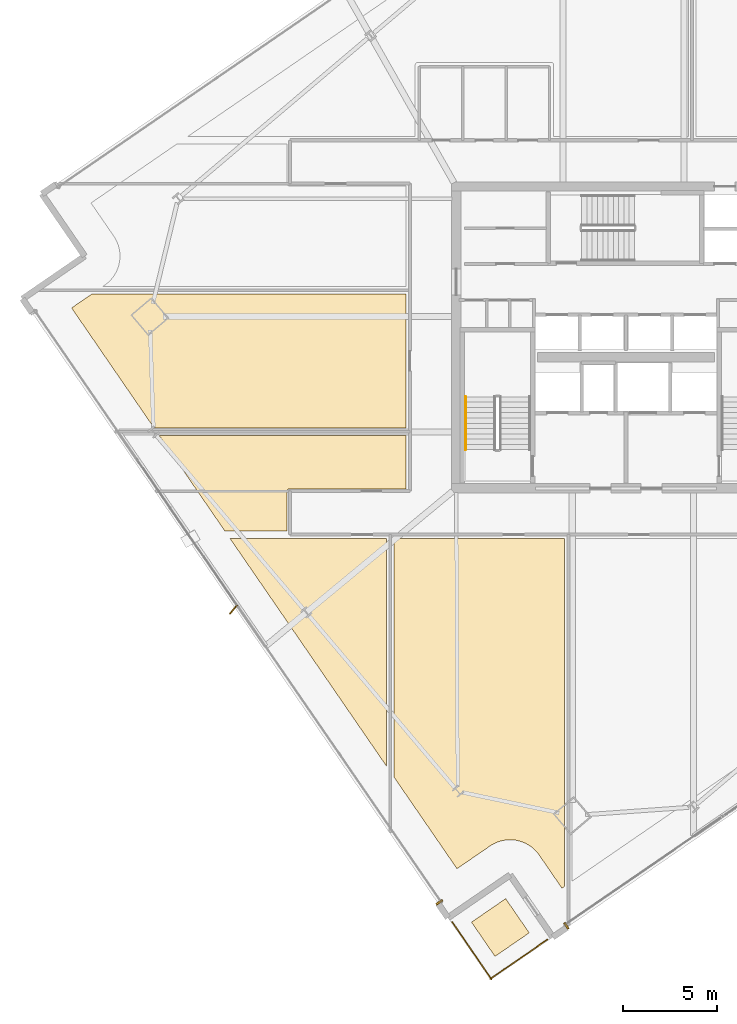
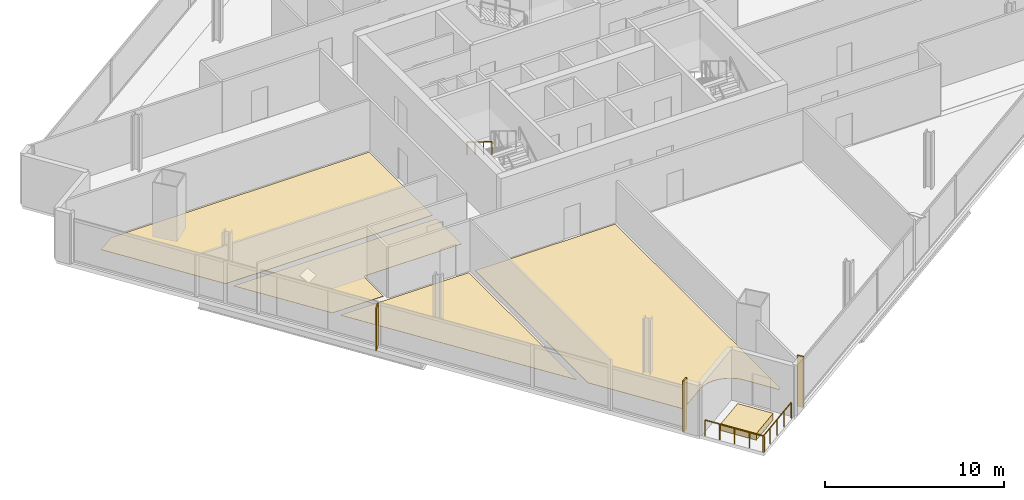
# One storey, part 25 of 29: 7 coverings, 3 railings, 1 shading device.
"""IFC4 building model written with IfcOpenShell, lengths in metres."""

from ifc_helpers import new_model, si_unit, direction, frame, origin, origin_2d, place, context, subcontext, project, spatial, polyline, rectangle, outline, extrude, source, transform, mapped, material, layer, layer_set, type_object, element, save


model = new_model("IFC4")

# Units and contexts
model_context = context("Model", 3, precision=1e-05, world=origin(), true_north=direction((0.0, 1.0)))
body_context = subcontext(model_context, "Body", "Model", "MODEL_VIEW")
ifc_project = project(units=[si_unit("LENGTHUNIT", "METRE"), si_unit("AREAUNIT", "SQUARE_METRE"), si_unit("VOLUMEUNIT", "CUBIC_METRE"), si_unit("PLANEANGLEUNIT", "RADIAN"), si_unit("MASSUNIT", "GRAM", prefix="KILO")], contexts=[model_context])

# Site, building, storey
site_placement = place(None, origin())
site = spatial("IfcSite", under=ifc_project, at=site_placement, CompositionType="ELEMENT")
building_placement = place(site_placement, origin())
building = spatial("IfcBuilding", under=site, at=building_placement, Name="Haldenkirk Collegiate Tower", CompositionType="ELEMENT")
storey_placement = place(building_placement, frame((0.0, 0.0, 144.449951171875)))
storey = spatial("IfcBuildingStorey", under=building, at=storey_placement, Name="L35", CompositionType="ELEMENT", Elevation=144.449951171875)

# Coverings
ifc_material_1 = material(Name="Polished collegiate terrazzo", Category="concrete")
ifc_layer_1 = layer(ifc_material_1, 0.02490234375)
ifc_layer_set_1 = layer_set([ifc_layer_1], Name="Polished collegiate terrazzo")
covering_type_1 = type_object("IfcCoveringType", Name="COV-FLOOR-TERRAZZO", PredefinedType="FLOORING", material=ifc_layer_set_1)
covering_1_placement = place(storey_placement, origin())
element("IfcCovering", 1, at=covering_1_placement, inside=storey, type_object=covering_type_1, Name="L35 academic room finish 02", PredefinedType="FLOORING", context=body_context, shape_type="SweptSolid", body=[
    extrude(outline(polyline([(30.8798828125, -0.92529296875), (30.8701171875, -0.918701171875), (30.721435546875, -0.83251953125), (30.711181640625, -0.8271484375), (30.554931640625, -0.755859375), (30.5439453125, -0.75146484375), (30.381591796875, -0.695556640625), (30.3701171875, -0.6923828125), (30.203125, -0.65283203125), (30.191650390625, -0.650634765625), (30.021484375, -0.627685546875), (30.009521484375, -0.626708984375), (29.837890625, -0.62060546875), (29.826416015625, -0.62060546875), (29.65478515625, -0.63134765625), (29.643310546875, -0.632568359375), (29.4736328125, -0.659912109375), (29.4619140625, -0.66259765625), (29.2958984375, -0.70654296875), (29.284912109375, -0.7099609375), (29.123779296875, -0.77001953125), (29.113037109375, -0.774658203125), (28.958740234375, -0.85009765625), (28.948486328125, -0.855712890625), (28.802490234375, -0.946044921875), (28.79736328125, -0.94921875), (27.0419921875, -2.155517578125), (23.699951171875, 2.70703125), (23.699951171875, 15.35009765625), (32.75, 15.35009765625), (32.75, -3.08642578125), (32.604248046875, -3.1865234375), (31.397705078125, -1.43115234375), (31.394287109375, -1.426513671875), (31.2900390625, -1.289794921875), (31.282470703125, -1.28076171875), (31.16552734375, -1.155029296875), (31.1572265625, -1.14697265625), (31.028564453125, -1.033203125), (31.019287109375, -1.02587890625), (30.8798828125, -0.92529296875)])), origin(), (0.0, 0.0, 1.0), 0.025146484375),
])
covering_2_placement = place(storey_placement, origin())
element("IfcCovering", 2, at=covering_2_placement, inside=storey, type_object=covering_type_1, Name="L35 academic room finish 08", PredefinedType="FLOORING", context=body_context, shape_type="SweptSolid", body=[
    extrude(outline(polyline([(7.69091796875, 28.300048828125), (24.35009765625, 28.300048828125), (24.35009765625, 21.199951171875), (10.990234375, 21.199951171875), (6.617431640625, 27.5625), (7.69091796875, 28.300048828125)])), origin(), (0.0, 0.0, 1.0), 0.025146484375),
])
ifc_material_2 = material(Name="Engineered collegiate oak acoustic flooring", Category="wood")
ifc_layer_2 = layer(ifc_material_2, 0.02197265625)
ifc_layer_set_2 = layer_set([ifc_layer_2], Name="Engineered collegiate oak acoustic flooring")
covering_type_2 = type_object("IfcCoveringType", Name="COV-FLOOR-TIMBER", PredefinedType="FLOORING", material=ifc_layer_set_2)
covering_3_placement = place(storey_placement, origin())
element("IfcCovering", 3, at=covering_3_placement, inside=storey, type_object=covering_type_2, Name="L35 academic room finish 01", PredefinedType="FLOORING", context=body_context, shape_type="SweptSolid", body=[
    extrude(outline(polyline([(15.0107421875, 15.35009765625), (23.300048828125, 15.35009765625), (23.300048828125, 3.2890625), (15.0107421875, 15.35009765625)])), origin(), (0.0, 0.0, 1.0), 0.02197265625),
])
covering_4_placement = place(storey_placement, origin())
element("IfcCovering", 4, at=covering_4_placement, inside=storey, type_object=covering_type_2, Name="L35 academic room finish 07", PredefinedType="FLOORING", context=body_context, shape_type="SweptSolid", body=[
    extrude(outline(polyline([(18.14990234375, 17.969970703125), (18.13818359375, 17.969482421875), (18.126708984375, 17.9677734375), (18.115234375, 17.96484375), (18.10400390625, 17.9609375), (18.093505859375, 17.955810546875), (18.083251953125, 17.94970703125), (18.073974609375, 17.94287109375), (18.065185546875, 17.934814453125), (18.05712890625, 17.926025390625), (18.05029296875, 17.916748046875), (18.044189453125, 17.906494140625), (18.0390625, 17.89599609375), (18.03515625, 17.884765625), (18.0322265625, 17.873291015625), (18.030517578125, 17.86181640625), (18.030029296875, 17.85009765625), (18.030029296875, 15.75), (14.73583984375, 15.75), (11.26513671875, 20.800048828125), (24.35009765625, 20.800048828125), (24.35009765625, 17.969970703125), (18.14990234375, 17.969970703125)])), origin(), (0.0, 0.0, 1.0), 0.02197265625),
])
ifc_material_3 = material(Name="Precast concrete f'c 40 MPa", Category="concrete")
ifc_layer_3 = layer(ifc_material_3, 0.449951171875)
ifc_layer_set_3 = layer_set([ifc_layer_3], Name="Precast concrete f'c 40 MPa")
covering_type_3 = type_object("IfcCoveringType", Name="COV-PLANTER-450", PredefinedType="USERDEFINED", material=ifc_layer_set_3)
covering_5_placement = place(storey_placement, origin())
element("IfcCovering", 5, at=covering_5_placement, inside=storey, type_object=covering_type_3, Name="L35 planted garden planter bed", ObjectType="PLANTER", PredefinedType="USERDEFINED", context=body_context, shape_type="SweptSolid", body=[
    extrude(outline(polyline([(29.0576171875, -6.801025390625), (27.8115234375, -4.98779296875), (29.624755859375, -3.74169921875), (30.870849609375, -5.554931640625), (29.0576171875, -6.801025390625)])), origin(), (0.0, 0.0, 1.0), 0.449951171875),
])

# Railings
ifc_material_4 = material(Name="Painted architectural tubular steel", Category="steel")
railing_type_1 = type_object("IfcRailingType", Name="RLG-STAIR-HANDRAIL-900", PredefinedType="HANDRAIL", material=ifc_material_4)
railing_1_placement = place(storey_placement, frame((27.5, 22.85009765625, 2.04541015625)))
element("IfcRailing", 6, at=railing_1_placement, inside=storey, type_object=railing_type_1, Name="L35 ST-1 stair handrail 2", PredefinedType="HANDRAIL", context=body_context, shape_type="SweptSolid", body=[
    extrude(rectangle(XDim=0.048095703125, YDim=0.048095703125, at=origin_2d()), frame((0.0, 0.0, 0.8759765625), z_axis=(0.0, -0.854169791009, 0.51999420009), x_axis=(1.0, 0.0, 0.0)), (0.0, 0.0, 1.0), 3.278076171875),
    extrude(rectangle(XDim=0.0419921875, YDim=0.0419921875, at=origin_2d()), origin(), (0.0, 0.0, 1.0), 0.851806640625),
    extrude(rectangle(XDim=0.0419921875, YDim=0.0419921875, at=origin_2d()), frame((0.0, -0.933349609375, 0.568115234375)), (0.0, 0.0, 1.0), 0.851806640625),
    extrude(rectangle(XDim=0.0419921875, YDim=0.0419921875, at=origin_2d()), frame((0.0, -1.86669921875, 1.136474609375)), (0.0, 0.0, 1.0), 0.851806640625),
    extrude(rectangle(XDim=0.0419921875, YDim=0.0419921875, at=origin_2d()), frame((0.0, -2.800048828125, 1.70458984375)), (0.0, 0.0, 1.0), 0.851806640625),
])
ifc_material_5 = material(Name="Anodised architectural bronze aluminium", Category="aluminium")
railing_type_2 = type_object("IfcRailingType", Name="RLG-TERR-BALUSTRADE-1100", PredefinedType="BALUSTRADE", material=ifc_material_5)
railing_2_placement = place(storey_placement, frame((28.791748046875, -8.003173828125, 0.0)))
element("IfcRailing", 7, at=railing_2_placement, inside=storey, type_object=railing_type_2, Name="L35 terrace guard balustrade 1-1", PredefinedType="BALUSTRADE", context=body_context, shape_type="SweptSolid", body=[
    extrude(rectangle(XDim=0.048095703125, YDim=0.048095703125, at=origin_2d()), frame((0.0, 0.0, 1.076171875), z_axis=(0.824129017351, 0.566402121077, 0.0), x_axis=(-0.566402121077, 0.824129017351, 0.0)), (0.0, 0.0, 1.0), 3.68017578125),
    extrude(rectangle(XDim=0.0419921875, YDim=0.0419921875, at=origin_2d()), origin(), (0.0, 0.0, 1.0), 1.052001953125),
    extrude(rectangle(XDim=0.0419921875, YDim=0.0419921875, at=origin_2d()), frame((0.75830078125, 0.52099609375, 0.0)), (0.0, 0.0, 1.0), 1.052001953125),
    extrude(rectangle(XDim=0.0419921875, YDim=0.0419921875, at=origin_2d()), frame((1.5166015625, 1.042236328125, 0.0)), (0.0, 0.0, 1.0), 1.052001953125),
    extrude(rectangle(XDim=0.0419921875, YDim=0.0419921875, at=origin_2d()), frame((2.274658203125, 1.5634765625, 0.0)), (0.0, 0.0, 1.0), 1.052001953125),
    extrude(rectangle(XDim=0.0419921875, YDim=0.0419921875, at=origin_2d()), frame((3.032958984375, 2.08447265625, 0.0)), (0.0, 0.0, 1.0), 1.052001953125),
])
railing_3_placement = place(storey_placement, frame((26.790771484375, -4.985595703125, 0.0)))
element("IfcRailing", 8, at=railing_3_placement, inside=storey, type_object=railing_type_2, Name="L35 terrace guard balustrade 4-1", PredefinedType="BALUSTRADE", context=body_context, shape_type="SweptSolid", body=[
    extrude(rectangle(XDim=0.048095703125, YDim=0.048095703125, at=origin_2d()), frame((0.0, 0.0, 1.076171875), z_axis=(0.566402121077, -0.824129017351, 0.0), x_axis=(0.824129017351, 0.566402121077, 0.0)), (0.0, 0.0, 1.0), 3.68017578125),
    extrude(rectangle(XDim=0.0419921875, YDim=0.0419921875, at=origin_2d()), origin(), (0.0, 0.0, 1.0), 1.052001953125),
    extrude(rectangle(XDim=0.0419921875, YDim=0.0419921875, at=origin_2d()), frame((0.52099609375, -0.75830078125, 0.0)), (0.0, 0.0, 1.0), 1.052001953125),
    extrude(rectangle(XDim=0.0419921875, YDim=0.0419921875, at=origin_2d()), frame((1.042236328125, -1.5166015625, 0.0)), (0.0, 0.0, 1.0), 1.052001953125),
    extrude(rectangle(XDim=0.0419921875, YDim=0.0419921875, at=origin_2d()), frame((1.5634765625, -2.274658203125, 0.0)), (0.0, 0.0, 1.0), 1.052001953125),
    extrude(rectangle(XDim=0.0419921875, YDim=0.0419921875, at=origin_2d()), frame((2.08447265625, -3.032958984375, 0.0)), (0.0, 0.0, 1.0), 1.052001953125),
])

# Coverings
ifc_layer_4 = layer(ifc_material_5, 0.06005859375)
ifc_layer_set_4 = layer_set([ifc_layer_4], Name="Anodised architectural bronze aluminium")
covering_type_4 = type_object("IfcCoveringType", Name="COV-CLAD-BRONZE-60", PredefinedType="CLADDING", material=ifc_layer_set_4)
shared_shape_1 = source(origin(), body_context, "Body", "SweptSolid", [
    extrude(rectangle(XDim=0.10009765625, YDim=0.3798828125, at=origin_2d()), origin(), (0.0, 0.0, 1.0), 3.4599609375),
])
for number, where, z_axis, x_axis, name in (
    (9, (32.837646484375, -5.185791015625, 0.0), (0.0, 0.0, 1.0), (-0.824126188622, -0.566406236925, 0.0), "L35 recessed curtain-wall bronze jamb closure SJR"),
    (10, (26.107421875, -3.938720703125, 0.0), (0.0, 0.0, 1.0), (-0.566406236925, 0.824126188622, 0.0), "L35 recessed curtain-wall bronze jamb closure WJL"),
):
    element("IfcCovering", number, at=place(storey_placement, frame(where, z_axis=z_axis, x_axis=x_axis)), inside=storey, type_object=covering_type_4, Name=name, PredefinedType="CLADDING", context=body_context, shape_type="MappedRepresentation", body=[
        mapped(shared_shape_1, transform((0.0, 0.0, 0.0), x_axis=(1.0, 0.0, 0.0), y_axis=(0.0, 1.0, 0.0), z_axis=(0.0, 0.0, 1.0), scale=1.0)),
    ])

# Shading device
ifc_layer_5 = layer(ifc_material_5, 0.06494140625)
ifc_layer_set_5 = layer_set([ifc_layer_5], Name="Anodised architectural bronze aluminium")
shading_device_type = type_object("IfcShadingDeviceType", Name="SHD-FIN-BRONZE-620", PredefinedType="USERDEFINED", material=ifc_layer_set_5)
shared_shape_2 = source(origin(), body_context, "Body", "SweptSolid", [
    extrude(rectangle(XDim=0.6201171875, YDim=0.06494140625, at=origin_2d()), origin(), (0.0, 0.0, 1.0), 2.910888671875),
])
shading_device_placement = place(storey_placement, frame((15.19384765625, 11.5791015625, 0.0), z_axis=(0.0, 0.0, 1.0), x_axis=(-0.636078220278, -0.771624583388, 0.0)))
element("IfcShadingDevice", 11, at=shading_device_placement, inside=storey, type_object=shading_device_type, Name="L35 folded bronze solar fin 1", ObjectType="FIN", PredefinedType="USERDEFINED", context=body_context, shape_type="MappedRepresentation", body=[
    mapped(shared_shape_2, transform((0.0, 0.0, 0.0), x_axis=(1.0, 0.0, 0.0), y_axis=(0.0, 1.0, 0.0), z_axis=(0.0, 0.0, 1.0), scale=1.0)),
])

save(model, "model.ifc")
